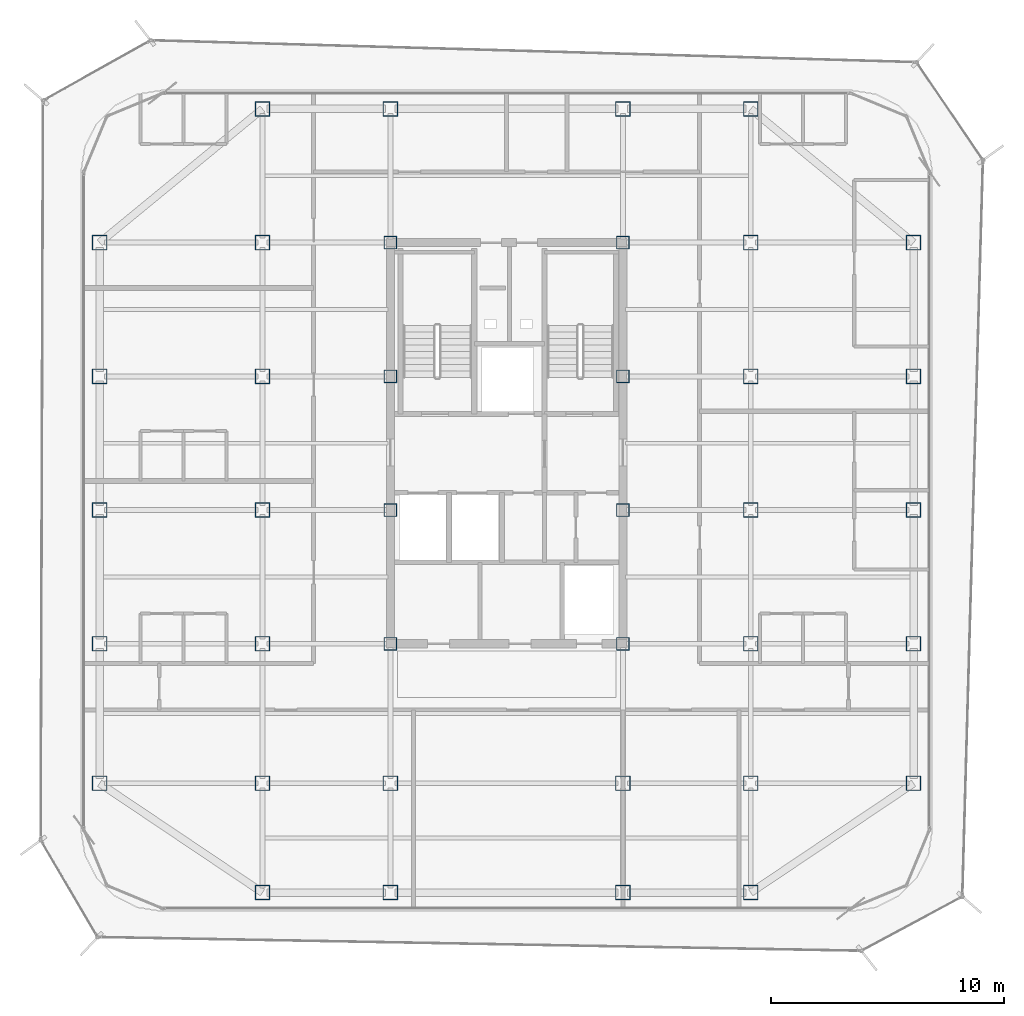
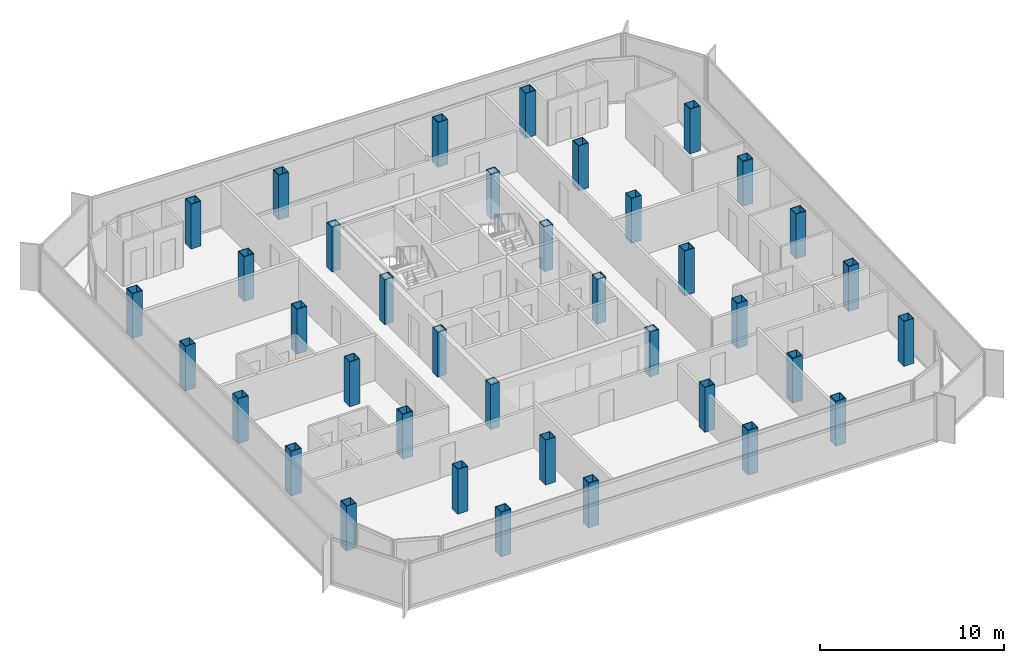
# One storey, part 1 of 14: 38 columns.
"""IFC4 building model written with IfcOpenShell, lengths in metres."""

from ifc_helpers import new_model, si_unit, direction, frame, origin, origin_2d, place, context, subcontext, project, spatial, hollow_rectangle, extrude, source, transform, mapped, material, material_profile, profile_set, type_object, element, save


model = new_model("IFC4")

# Units and contexts
model_context = context("Model", 3, precision=1e-05, world=origin(), true_north=direction((0.0, 1.0)))
body_context = subcontext(model_context, "Body", "Model", "MODEL_VIEW")
ifc_project = project(units=[si_unit("LENGTHUNIT", "METRE"), si_unit("AREAUNIT", "SQUARE_METRE"), si_unit("VOLUMEUNIT", "CUBIC_METRE"), si_unit("PLANEANGLEUNIT", "RADIAN"), si_unit("MASSUNIT", "GRAM", prefix="KILO")], contexts=[model_context])

# Site, building, storey
site_placement = place(None, origin())
site = spatial("IfcSite", under=ifc_project, at=site_placement, CompositionType="ELEMENT")
building_placement = place(site_placement, origin())
building = spatial("IfcBuilding", under=site, at=building_placement, Name="Kolveth Station Tower", CompositionType="ELEMENT")
storey_placement = place(building_placement, frame((0.0, 0.0, 226.5)))
storey = spatial("IfcBuildingStorey", under=building, at=storey_placement, Name="L64", CompositionType="ELEMENT", Elevation=226.5)

# Columns
ifc_material = material(Name="Steel S355", Category="steel")
ifc_material_profile_1 = material_profile(ifc_material, hollow_rectangle(XDim=0.639892578125, YDim=0.639892578125, WallThickness=0.034912109375, at=origin_2d()), Name="BOX640x640x35")
ifc_profile_set_1 = profile_set([ifc_material_profile_1], Name="Steel S355")
column_type_1 = type_object("IfcColumnType", Name="Col_C7", PredefinedType="COLUMN", material=ifc_profile_set_1)
shared_shape_1 = source(origin(), body_context, "Body", "SweptSolid", [
    extrude(hollow_rectangle(XDim=0.639892578125, YDim=0.639892578125, WallThickness=0.034912109375, at=origin_2d()), origin(), (0.0, 0.0, 1.0), 2.97998046875),
])
for number, where, z_axis, x_axis, name in (
    (1, (13.0, 0.800048828125, 0.0), (0.0, 0.0, 1.0), (1.0, 0.0, 0.0), "L64 Tower Column S-X130"),
    (2, (13.0, 34.5, 0.0), (0.0, 0.0, 1.0), (1.0, 0.0, 0.0), "L64 Tower Column N-X130"),
    (3, (18.5, 0.800048828125, 0.0), (0.0, 0.0, 1.0), (1.0, 0.0, 0.0), "L64 Tower Column S-X185"),
    (4, (18.5, 34.5, 0.0), (0.0, 0.0, 1.0), (1.0, 0.0, 0.0), "L64 Tower Column N-X185"),
    (5, (28.5, 0.800048828125, 0.0), (0.0, 0.0, 1.0), (1.0, 0.0, 0.0), "L64 Tower Column S-X285"),
    (6, (28.5, 34.5, 0.0), (0.0, 0.0, 1.0), (1.0, 0.0, 0.0), "L64 Tower Column N-X285"),
    (7, (34.0, 0.800048828125, 0.0), (0.0, 0.0, 1.0), (1.0, 0.0, 0.0), "L64 Tower Column S-X340"),
    (8, (34.0, 34.5, 0.0), (0.0, 0.0, 1.0), (1.0, 0.0, 0.0), "L64 Tower Column N-X340"),
    (9, (6.0, 5.5, 0.0), (0.0, 0.0, 1.0), (1.0, 0.0, 0.0), "L64 Tower Column W-Y55"),
    (10, (41.0, 5.5, 0.0), (0.0, 0.0, 1.0), (1.0, 0.0, 0.0), "L64 Tower Column E-Y55"),
    (11, (6.0, 11.5, 0.0), (0.0, 0.0, 1.0), (1.0, 0.0, 0.0), "L64 Tower Column W-Y115"),
    (12, (41.0, 11.5, 0.0), (0.0, 0.0, 1.0), (1.0, 0.0, 0.0), "L64 Tower Column E-Y115"),
    (13, (6.0, 17.25, 0.0), (0.0, 0.0, 1.0), (1.0, 0.0, 0.0), "L64 Tower Column W-Y172"),
    (14, (41.0, 17.25, 0.0), (0.0, 0.0, 1.0), (1.0, 0.0, 0.0), "L64 Tower Column E-Y172"),
    (15, (6.0, 23.0, 0.0), (0.0, 0.0, 1.0), (1.0, 0.0, 0.0), "L64 Tower Column W-Y230"),
    (16, (41.0, 23.0, 0.0), (0.0, 0.0, 1.0), (1.0, 0.0, 0.0), "L64 Tower Column E-Y230"),
    (17, (6.0, 28.75, 0.0), (0.0, 0.0, 1.0), (1.0, 0.0, 0.0), "L64 Tower Column W-Y287"),
    (18, (41.0, 28.75, 0.0), (0.0, 0.0, 1.0), (1.0, 0.0, 0.0), "L64 Tower Column E-Y287"),
    (19, (13.0, 5.5, 0.0), (0.0, 0.0, 1.0), (1.0, 0.0, 0.0), "L64 Tower Column G-130-55"),
    (20, (13.0, 11.5, 0.0), (0.0, 0.0, 1.0), (1.0, 0.0, 0.0), "L64 Tower Column G-130-115"),
    (21, (13.0, 17.25, 0.0), (0.0, 0.0, 1.0), (1.0, 0.0, 0.0), "L64 Tower Column G-130-172"),
    (22, (13.0, 23.0, 0.0), (0.0, 0.0, 1.0), (1.0, 0.0, 0.0), "L64 Tower Column G-130-230"),
    (23, (13.0, 28.75, 0.0), (0.0, 0.0, 1.0), (1.0, 0.0, 0.0), "L64 Tower Column G-130-287"),
    (24, (18.5, 5.5, 0.0), (0.0, 0.0, 1.0), (1.0, 0.0, 0.0), "L64 Tower Column G-185-55"),
    (25, (28.5, 5.5, 0.0), (0.0, 0.0, 1.0), (1.0, 0.0, 0.0), "L64 Tower Column G-285-55"),
    (26, (34.0, 5.5, 0.0), (0.0, 0.0, 1.0), (1.0, 0.0, 0.0), "L64 Tower Column G-340-55"),
    (27, (34.0, 11.5, 0.0), (0.0, 0.0, 1.0), (1.0, 0.0, 0.0), "L64 Tower Column G-340-115"),
    (28, (34.0, 17.25, 0.0), (0.0, 0.0, 1.0), (1.0, 0.0, 0.0), "L64 Tower Column G-340-172"),
    (29, (34.0, 23.0, 0.0), (0.0, 0.0, 1.0), (1.0, 0.0, 0.0), "L64 Tower Column G-340-230"),
    (30, (34.0, 28.75, 0.0), (0.0, 0.0, 1.0), (1.0, 0.0, 0.0), "L64 Tower Column G-340-287"),
):
    element("IfcColumn", number, at=place(storey_placement, frame(where, z_axis=z_axis, x_axis=x_axis)), inside=storey, type_object=column_type_1, Name=name, PredefinedType="COLUMN", context=body_context, shape_type="MappedRepresentation", body=[
        mapped(shared_shape_1, transform((0.0, 0.0, 0.0), x_axis=(1.0, 0.0, 0.0), y_axis=(0.0, 1.0, 0.0), z_axis=(0.0, 0.0, 1.0), scale=1.0)),
    ])
ifc_material_profile_2 = material_profile(ifc_material, hollow_rectangle(XDim=0.56005859375, YDim=0.56005859375, WallThickness=0.030029296875, at=origin_2d()), Name="BOX560x560x30")
ifc_profile_set_2 = profile_set([ifc_material_profile_2], Name="Steel S355")
column_type_2 = type_object("IfcColumnType", Name="Col_C8", PredefinedType="COLUMN", material=ifc_profile_set_2)
shared_shape_2 = source(origin(), body_context, "Body", "SweptSolid", [
    extrude(hollow_rectangle(XDim=0.56005859375, YDim=0.56005859375, WallThickness=0.030029296875, at=origin_2d()), origin(), (0.0, 0.0, 1.0), 2.97998046875),
])
for number, where, z_axis, x_axis, name in (
    (31, (18.5, 11.5, 0.0), (0.0, 0.0, 1.0), (1.0, 0.0, 0.0), "L64 Tower Column G-185-115"),
    (32, (18.5, 17.25, 0.0), (0.0, 0.0, 1.0), (1.0, 0.0, 0.0), "L64 Tower Column G-185-172"),
    (33, (18.5, 23.0, 0.0), (0.0, 0.0, 1.0), (1.0, 0.0, 0.0), "L64 Tower Column G-185-230"),
    (34, (18.5, 28.75, 0.0), (0.0, 0.0, 1.0), (1.0, 0.0, 0.0), "L64 Tower Column G-185-287"),
    (35, (28.5, 11.5, 0.0), (0.0, 0.0, 1.0), (1.0, 0.0, 0.0), "L64 Tower Column G-285-115"),
    (36, (28.5, 17.25, 0.0), (0.0, 0.0, 1.0), (1.0, 0.0, 0.0), "L64 Tower Column G-285-172"),
    (37, (28.5, 23.0, 0.0), (0.0, 0.0, 1.0), (1.0, 0.0, 0.0), "L64 Tower Column G-285-230"),
    (38, (28.5, 28.75, 0.0), (0.0, 0.0, 1.0), (1.0, 0.0, 0.0), "L64 Tower Column G-285-287"),
):
    element("IfcColumn", number, at=place(storey_placement, frame(where, z_axis=z_axis, x_axis=x_axis)), inside=storey, type_object=column_type_2, Name=name, PredefinedType="COLUMN", context=body_context, shape_type="MappedRepresentation", body=[
        mapped(shared_shape_2, transform((0.0, 0.0, 0.0), x_axis=(1.0, 0.0, 0.0), y_axis=(0.0, 1.0, 0.0), z_axis=(0.0, 0.0, 1.0), scale=1.0)),
    ])

save(model, "model.ifc")
